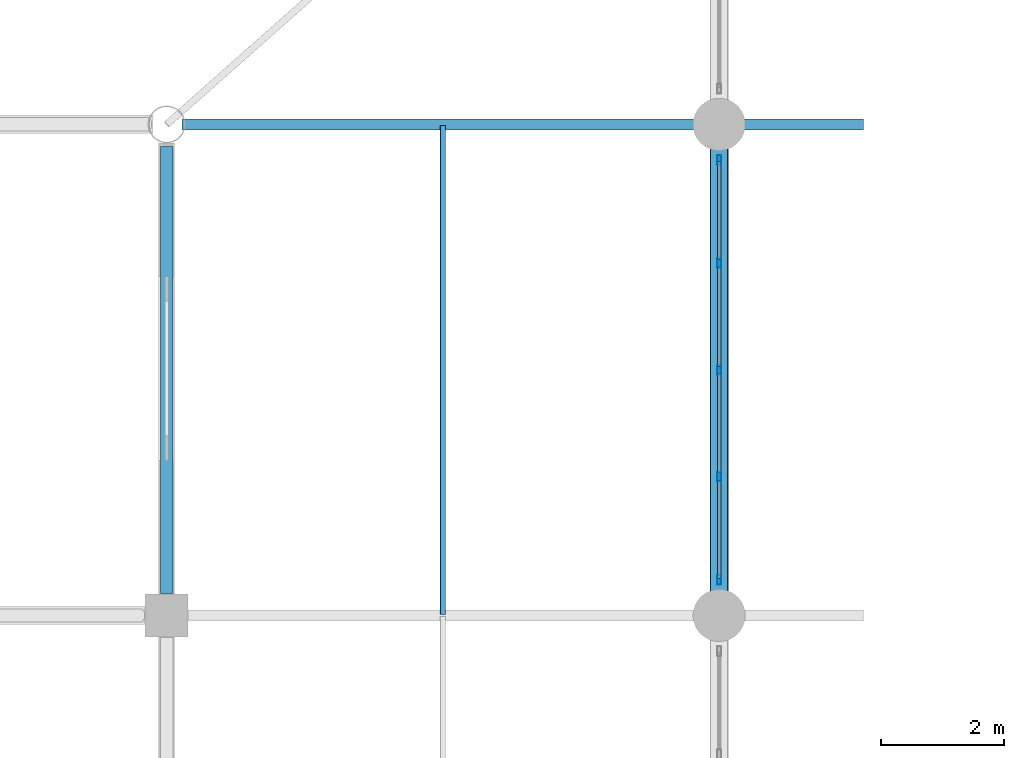
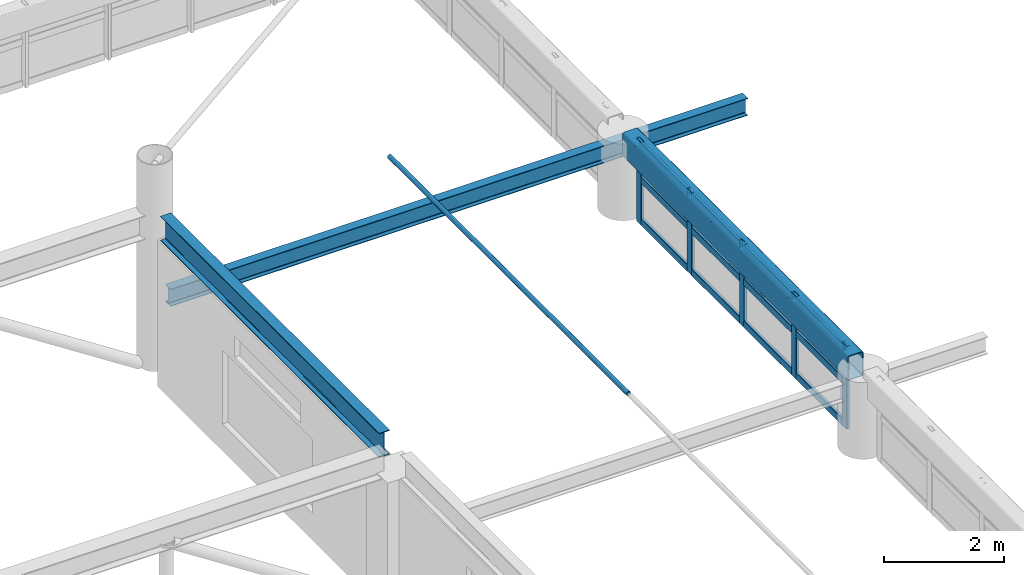
# One storey, part 58 of 128: 18 members, 3 beams, 1 element without a shape of its own.
"""IFC4 building model written with IfcOpenShell, lengths in metres."""

from ifc_helpers import new_model, si_unit, derived_unit, direction, frame, origin, origin_2d, place, context, subcontext, project, spatial, hollow_rectangle, hollow_circle, i_section, extrude, material, material_profile, profile_set, type_object, element, aggregate, save


model = new_model("IFC4")

# Units and contexts
model_context = context("Model", 3, precision=1e-05, world=origin(), true_north=direction((0.0, 1.0)))
body_context = subcontext(model_context, "Body", "Model", "MODEL_VIEW")
ifc_project = project(units=[si_unit("LENGTHUNIT", "METRE"), si_unit("AREAUNIT", "SQUARE_METRE"), si_unit("VOLUMEUNIT", "CUBIC_METRE"), si_unit("PLANEANGLEUNIT", "RADIAN"), si_unit("MASSUNIT", "GRAM", prefix="KILO"), derived_unit("THERMALTRANSMITTANCEUNIT", [(si_unit("MASSUNIT", "GRAM", prefix="KILO"), 1), (si_unit("TIMEUNIT", "SECOND"), -3), (si_unit("THERMODYNAMICTEMPERATUREUNIT", "KELVIN"), -1)])], contexts=[model_context])

# Site, building, storey
site_placement = place(None, origin())
site = spatial("IfcSite", under=ifc_project, at=site_placement, CompositionType="ELEMENT")
building_placement = place(site_placement, origin())
building = spatial("IfcBuilding", under=site, at=building_placement, Name="Zhenchuan Archway Interchange", CompositionType="ELEMENT")
storey_placement = place(building_placement, frame((0.0, 0.0, 14.39990234375)))
storey = spatial("IfcBuildingStorey", under=building, at=storey_placement, Name="L03", CompositionType="ELEMENT", Elevation=14.39990234375)

# Beams
ifc_material_1 = material(Name="Steel Q390", Category="steel")
ifc_material_profile_1 = material_profile(ifc_material_1, hollow_rectangle(XDim=0.300048828125, YDim=0.5, WallThickness=0.01611328125, InnerFilletRadius=0.01611328125, OuterFilletRadius=0.031982421875, at=origin_2d()), Name="RHS 500x300x16")
ifc_profile_set_1 = profile_set([ifc_material_profile_1], Name="Steel Q390")
beam_type_1 = type_object("IfcBeamType", Name="BM_RING_RHS500", PredefinedType="BEAM", material=ifc_profile_set_1)
beam_1_placement = place(storey_placement, frame((72.0, 72.25, 1.4501953125), z_axis=(0.0, 1.0, 0.0), x_axis=(-1.0, 0.0, 0.0)))
element("IfcBeam", 1, at=beam_1_placement, inside=storey, type_object=beam_type_1, Name="CONCOURSE CABLE-NET RING BEAM E-7", PredefinedType="BEAM", context=body_context, shape_type="SweptSolid", body=[
    extrude(hollow_rectangle(XDim=0.300048828125, YDim=0.5, WallThickness=0.01611328125, InnerFilletRadius=0.01611328125, OuterFilletRadius=0.031982421875, at=origin_2d()), origin(), (0.0, 0.0, 1.0), 7.5),
])
ifc_material_2 = material(Name="Steel Q355", Category="steel")
ifc_material_profile_2 = material_profile(ifc_material_2, i_section(OverallWidth=0.175048828125, OverallDepth=0.35009765625, WebThickness=0.007080078125, FlangeThickness=0.010986328125, FilletRadius=0.013916015625, at=origin_2d()), Name="HN 350x175")
ifc_profile_set_2 = profile_set([ifc_material_profile_2], Name="Steel Q355")
beam_type_2 = type_object("IfcBeamType", Name="BM_STL_EAVE_HN350", PredefinedType="BEAM", material=ifc_profile_set_2)
beam_2_placement = place(storey_placement, frame((63.25, 80.0, 1.25), z_axis=(1.0, 0.0, 0.0), x_axis=(0.0, 1.0, 0.0)))
element("IfcBeam", 2, at=beam_2_placement, inside=storey, type_object=beam_type_2, Name="Concourse east storm-eave continuous rafter 8", PredefinedType="BEAM", context=body_context, shape_type="SweptSolid", body=[
    extrude(i_section(OverallWidth=0.175048828125, OverallDepth=0.35009765625, WebThickness=0.007080078125, FlangeThickness=0.010986328125, FilletRadius=0.013916015625, at=origin_2d()), origin(), (0.0, 0.0, 1.0), 11.10009765625),
])
ifc_material_profile_3 = material_profile(ifc_material_2, i_section(OverallWidth=0.199951171875, OverallDepth=0.5, WebThickness=0.010009765625, FlangeThickness=0.01611328125, FilletRadius=0.02001953125, at=origin_2d()), Name="HN 500x200")
ifc_profile_set_3 = profile_set([ifc_material_profile_3], Name="Steel Q355")
beam_type_3 = type_object("IfcBeamType", Name="BM_STL_HN500", PredefinedType="BEAM", material=ifc_profile_set_3)
beam_3_placement = place(storey_placement, frame((63.0, 72.360107421875, 2.9501953125), z_axis=(0.0, 1.0, 0.0), x_axis=(-1.0, 0.0, 0.0)))
element("IfcBeam", 3, at=beam_3_placement, inside=storey, type_object=beam_type_3, Name="Concourse clerestory header beam E 72-80", PredefinedType="BEAM", context=body_context, shape_type="SweptSolid", body=[
    extrude(i_section(OverallWidth=0.199951171875, OverallDepth=0.5, WebThickness=0.010009765625, FlangeThickness=0.01611328125, FilletRadius=0.02001953125, at=origin_2d()), origin(), (0.0, 0.0, 1.0), 7.27978515625),
])

# Curtain wall, members
ifc_material_3 = material(Name="Anodised Aluminium", Category="aluminium")
curtain_wall_type = type_object("IfcCurtainWallType", Name="CW_UNIT_3", PredefinedType="NOTDEFINED", material=ifc_material_3)
curtain_wall_placement = place(storey_placement, origin())
curtain_wall = element("IfcCurtainWall", 4, at=curtain_wall_placement, inside=storey, type_object=curtain_wall_type, Name="Unitised curtain wall CW:L03:RING-E7", PredefinedType="NOTDEFINED")
ifc_material_profile_4 = material_profile(ifc_material_3, hollow_rectangle(XDim=0.06005859375, YDim=0.159912109375, WallThickness=0.00390625, InnerFilletRadius=0.00390625, OuterFilletRadius=0.008056640625, at=origin_2d()), Name="ALU 160x60x4")
ifc_profile_set_4 = profile_set([ifc_material_profile_4], Name="Anodised Aluminium")
member_type_1 = type_object("IfcMemberType", Name="CW_MUL_150", PredefinedType="MULLION", material=ifc_profile_set_4)
member_1_placement = place(storey_placement, frame((72.0, 72.580078125, 0.02001953125), z_axis=(0.0, 0.0, 1.0), x_axis=(1.0, 0.0, 0.0)))
member_1 = element("IfcMember", 5, at=member_1_placement, type_object=member_type_1, Name="CW:L03:RING-E7 mullion 0", PredefinedType="MULLION", context=body_context, shape_type="SweptSolid", body=[
    extrude(hollow_rectangle(XDim=0.06005859375, YDim=0.159912109375, WallThickness=0.00390625, InnerFilletRadius=0.00390625, OuterFilletRadius=0.008056640625, at=origin_2d()), origin(), (0.0, 0.0, 1.0), 1.68017578125),
])
member_2_placement = place(storey_placement, frame((72.0, 74.260009765625, 0.02001953125), z_axis=(0.0, 0.0, 1.0), x_axis=(1.0, 0.0, 0.0)))
member_2 = element("IfcMember", 6, at=member_2_placement, type_object=member_type_1, Name="CW:L03:RING-E7 mullion 1", PredefinedType="MULLION", context=body_context, shape_type="SweptSolid", body=[
    extrude(hollow_rectangle(XDim=0.06005859375, YDim=0.159912109375, WallThickness=0.00390625, InnerFilletRadius=0.00390625, OuterFilletRadius=0.008056640625, at=origin_2d()), origin(), (0.0, 0.0, 1.0), 1.68017578125),
])
member_3_placement = place(storey_placement, frame((72.0, 76.0, 0.02001953125), z_axis=(0.0, 0.0, 1.0), x_axis=(1.0, 0.0, 0.0)))
member_3 = element("IfcMember", 7, at=member_3_placement, type_object=member_type_1, Name="CW:L03:RING-E7 mullion 2", PredefinedType="MULLION", context=body_context, shape_type="SweptSolid", body=[
    extrude(hollow_rectangle(XDim=0.06005859375, YDim=0.159912109375, WallThickness=0.00390625, InnerFilletRadius=0.00390625, OuterFilletRadius=0.008056640625, at=origin_2d()), origin(), (0.0, 0.0, 1.0), 1.68017578125),
])
member_4_placement = place(storey_placement, frame((72.0, 77.739990234375, 0.02001953125), z_axis=(0.0, 0.0, 1.0), x_axis=(1.0, 0.0, 0.0)))
member_4 = element("IfcMember", 8, at=member_4_placement, type_object=member_type_1, Name="CW:L03:RING-E7 mullion 3", PredefinedType="MULLION", context=body_context, shape_type="SweptSolid", body=[
    extrude(hollow_rectangle(XDim=0.06005859375, YDim=0.159912109375, WallThickness=0.00390625, InnerFilletRadius=0.00390625, OuterFilletRadius=0.008056640625, at=origin_2d()), origin(), (0.0, 0.0, 1.0), 1.68017578125),
])
member_5_placement = place(storey_placement, frame((72.0, 79.419921875, 0.02001953125), z_axis=(0.0, 0.0, 1.0), x_axis=(1.0, 0.0, 0.0)))
member_5 = element("IfcMember", 9, at=member_5_placement, type_object=member_type_1, Name="CW:L03:RING-E7 mullion 4", PredefinedType="MULLION", context=body_context, shape_type="SweptSolid", body=[
    extrude(hollow_rectangle(XDim=0.06005859375, YDim=0.159912109375, WallThickness=0.00390625, InnerFilletRadius=0.00390625, OuterFilletRadius=0.008056640625, at=origin_2d()), origin(), (0.0, 0.0, 1.0), 1.68017578125),
])
ifc_material_profile_5 = material_profile(ifc_material_3, hollow_rectangle(XDim=0.06005859375, YDim=0.139892578125, WallThickness=0.00341796875, InnerFilletRadius=0.00341796875, OuterFilletRadius=0.007080078125, at=origin_2d()), Name="ALU 140x60x3.5")
ifc_profile_set_5 = profile_set([ifc_material_profile_5], Name="Anodised Aluminium")
member_type_2 = type_object("IfcMemberType", Name="CW_TRN_140", PredefinedType="USERDEFINED", material=ifc_profile_set_5)
member_6_placement = place(storey_placement, frame((72.0, 72.60009765625, 0.080078125), z_axis=(0.0, 1.0, 0.0), x_axis=(-1.0, 0.0, 0.0)))
member_6 = element("IfcMember", 10, at=member_6_placement, type_object=member_type_2, Name="CW:L03:RING-E7 transom 0-1", ObjectType="TRANSOM", PredefinedType="USERDEFINED", context=body_context, shape_type="SweptSolid", body=[
    extrude(hollow_rectangle(XDim=0.06005859375, YDim=0.139892578125, WallThickness=0.00341796875, InnerFilletRadius=0.00341796875, OuterFilletRadius=0.007080078125, at=origin_2d()), origin(), (0.0, 0.0, 1.0), 1.599853515625),
])
member_7_placement = place(storey_placement, frame((72.0, 72.60009765625, 0.93310546875), z_axis=(0.0, 1.0, 0.0), x_axis=(-1.0, 0.0, 0.0)))
member_7 = element("IfcMember", 11, at=member_7_placement, type_object=member_type_2, Name="CW:L03:RING-E7 transom 0-2", ObjectType="TRANSOM", PredefinedType="USERDEFINED", context=body_context, shape_type="SweptSolid", body=[
    extrude(hollow_rectangle(XDim=0.06005859375, YDim=0.139892578125, WallThickness=0.00341796875, InnerFilletRadius=0.00341796875, OuterFilletRadius=0.007080078125, at=origin_2d()), origin(), (0.0, 0.0, 1.0), 1.599853515625),
])
member_8_placement = place(storey_placement, frame((72.0, 72.60009765625, 1.6201171875), z_axis=(0.0, 1.0, 0.0), x_axis=(-1.0, 0.0, 0.0)))
member_8 = element("IfcMember", 12, at=member_8_placement, type_object=member_type_2, Name="CW:L03:RING-E7 transom 0-3", ObjectType="TRANSOM", PredefinedType="USERDEFINED", context=body_context, shape_type="SweptSolid", body=[
    extrude(hollow_rectangle(XDim=0.06005859375, YDim=0.139892578125, WallThickness=0.00341796875, InnerFilletRadius=0.00341796875, OuterFilletRadius=0.007080078125, at=origin_2d()), origin(), (0.0, 0.0, 1.0), 1.599853515625),
])
member_9_placement = place(storey_placement, frame((72.0, 74.320068359375, 0.080078125), z_axis=(0.0, 1.0, 0.0), x_axis=(-1.0, 0.0, 0.0)))
member_9 = element("IfcMember", 13, at=member_9_placement, type_object=member_type_2, Name="CW:L03:RING-E7 transom 1-1", ObjectType="TRANSOM", PredefinedType="USERDEFINED", context=body_context, shape_type="SweptSolid", body=[
    extrude(hollow_rectangle(XDim=0.06005859375, YDim=0.139892578125, WallThickness=0.00341796875, InnerFilletRadius=0.00341796875, OuterFilletRadius=0.007080078125, at=origin_2d()), origin(), (0.0, 0.0, 1.0), 1.619873046875),
])
member_10_placement = place(storey_placement, frame((72.0, 74.320068359375, 0.93310546875), z_axis=(0.0, 1.0, 0.0), x_axis=(-1.0, 0.0, 0.0)))
member_10 = element("IfcMember", 14, at=member_10_placement, type_object=member_type_2, Name="CW:L03:RING-E7 transom 1-2", ObjectType="TRANSOM", PredefinedType="USERDEFINED", context=body_context, shape_type="SweptSolid", body=[
    extrude(hollow_rectangle(XDim=0.06005859375, YDim=0.139892578125, WallThickness=0.00341796875, InnerFilletRadius=0.00341796875, OuterFilletRadius=0.007080078125, at=origin_2d()), origin(), (0.0, 0.0, 1.0), 1.619873046875),
])
member_11_placement = place(storey_placement, frame((72.0, 74.320068359375, 1.6201171875), z_axis=(0.0, 1.0, 0.0), x_axis=(-1.0, 0.0, 0.0)))
member_11 = element("IfcMember", 15, at=member_11_placement, type_object=member_type_2, Name="CW:L03:RING-E7 transom 1-3", ObjectType="TRANSOM", PredefinedType="USERDEFINED", context=body_context, shape_type="SweptSolid", body=[
    extrude(hollow_rectangle(XDim=0.06005859375, YDim=0.139892578125, WallThickness=0.00341796875, InnerFilletRadius=0.00341796875, OuterFilletRadius=0.007080078125, at=origin_2d()), origin(), (0.0, 0.0, 1.0), 1.619873046875),
])
member_12_placement = place(storey_placement, frame((72.0, 76.06005859375, 0.080078125), z_axis=(0.0, 1.0, 0.0), x_axis=(-1.0, 0.0, 0.0)))
member_12 = element("IfcMember", 16, at=member_12_placement, type_object=member_type_2, Name="CW:L03:RING-E7 transom 2-1", ObjectType="TRANSOM", PredefinedType="USERDEFINED", context=body_context, shape_type="SweptSolid", body=[
    extrude(hollow_rectangle(XDim=0.06005859375, YDim=0.139892578125, WallThickness=0.00341796875, InnerFilletRadius=0.00341796875, OuterFilletRadius=0.007080078125, at=origin_2d()), origin(), (0.0, 0.0, 1.0), 1.619873046875),
])
member_13_placement = place(storey_placement, frame((72.0, 76.06005859375, 0.93310546875), z_axis=(0.0, 1.0, 0.0), x_axis=(-1.0, 0.0, 0.0)))
member_13 = element("IfcMember", 17, at=member_13_placement, type_object=member_type_2, Name="CW:L03:RING-E7 transom 2-2", ObjectType="TRANSOM", PredefinedType="USERDEFINED", context=body_context, shape_type="SweptSolid", body=[
    extrude(hollow_rectangle(XDim=0.06005859375, YDim=0.139892578125, WallThickness=0.00341796875, InnerFilletRadius=0.00341796875, OuterFilletRadius=0.007080078125, at=origin_2d()), origin(), (0.0, 0.0, 1.0), 1.619873046875),
])
member_14_placement = place(storey_placement, frame((72.0, 76.06005859375, 1.6201171875), z_axis=(0.0, 1.0, 0.0), x_axis=(-1.0, 0.0, 0.0)))
member_14 = element("IfcMember", 18, at=member_14_placement, type_object=member_type_2, Name="CW:L03:RING-E7 transom 2-3", ObjectType="TRANSOM", PredefinedType="USERDEFINED", context=body_context, shape_type="SweptSolid", body=[
    extrude(hollow_rectangle(XDim=0.06005859375, YDim=0.139892578125, WallThickness=0.00341796875, InnerFilletRadius=0.00341796875, OuterFilletRadius=0.007080078125, at=origin_2d()), origin(), (0.0, 0.0, 1.0), 1.619873046875),
])
member_15_placement = place(storey_placement, frame((72.0, 77.800048828125, 0.080078125), z_axis=(0.0, 1.0, 0.0), x_axis=(-1.0, 0.0, 0.0)))
member_15 = element("IfcMember", 19, at=member_15_placement, type_object=member_type_2, Name="CW:L03:RING-E7 transom 3-1", ObjectType="TRANSOM", PredefinedType="USERDEFINED", context=body_context, shape_type="SweptSolid", body=[
    extrude(hollow_rectangle(XDim=0.06005859375, YDim=0.139892578125, WallThickness=0.00341796875, InnerFilletRadius=0.00341796875, OuterFilletRadius=0.007080078125, at=origin_2d()), origin(), (0.0, 0.0, 1.0), 1.599853515625),
])
member_16_placement = place(storey_placement, frame((72.0, 77.800048828125, 0.93310546875), z_axis=(0.0, 1.0, 0.0), x_axis=(-1.0, 0.0, 0.0)))
member_16 = element("IfcMember", 20, at=member_16_placement, type_object=member_type_2, Name="CW:L03:RING-E7 transom 3-2", ObjectType="TRANSOM", PredefinedType="USERDEFINED", context=body_context, shape_type="SweptSolid", body=[
    extrude(hollow_rectangle(XDim=0.06005859375, YDim=0.139892578125, WallThickness=0.00341796875, InnerFilletRadius=0.00341796875, OuterFilletRadius=0.007080078125, at=origin_2d()), origin(), (0.0, 0.0, 1.0), 1.599853515625),
])
member_17_placement = place(storey_placement, frame((72.0, 77.800048828125, 1.6201171875), z_axis=(0.0, 1.0, 0.0), x_axis=(-1.0, 0.0, 0.0)))
member_17 = element("IfcMember", 21, at=member_17_placement, type_object=member_type_2, Name="CW:L03:RING-E7 transom 3-3", ObjectType="TRANSOM", PredefinedType="USERDEFINED", context=body_context, shape_type="SweptSolid", body=[
    extrude(hollow_rectangle(XDim=0.06005859375, YDim=0.139892578125, WallThickness=0.00341796875, InnerFilletRadius=0.00341796875, OuterFilletRadius=0.007080078125, at=origin_2d()), origin(), (0.0, 0.0, 1.0), 1.599853515625),
])
aggregate(curtain_wall, [member_1, member_2, member_3, member_4, member_5, member_6, member_7, member_8, member_9, member_10, member_11, member_12, member_13, member_14, member_15, member_16, member_17])

# Member
ifc_material_profile_6 = material_profile(ifc_material_1, hollow_circle(Radius=0.04443359375, WallThickness=0.006103515625, at=origin_2d()), Name="CHS 89x6")
ifc_profile_set_6 = profile_set([ifc_material_profile_6], Name="Steel Q390")
member_type_3 = type_object("IfcMemberType", Name="MB_CBL_CHS89", PredefinedType="USERDEFINED", material=ifc_profile_set_6)
member_18_placement = place(storey_placement, frame((67.5, 72.02001953125, 2.60009765625), z_axis=(0.0, 1.0, 0.0), x_axis=(-1.0, 0.0, 0.0)))
element("IfcMember", 22, at=member_18_placement, inside=storey, type_object=member_type_3, Name="CONCOURSE ROOF CABLE longitudinal net strand 6-6", ObjectType="CABLE", PredefinedType="USERDEFINED", context=body_context, shape_type="SweptSolid", body=[
    extrude(hollow_circle(Radius=0.04443359375, WallThickness=0.006103515625, at=origin_2d()), origin(), (0.0, 0.0, 1.0), 7.9599609375),
])

save(model, "model.ifc")
